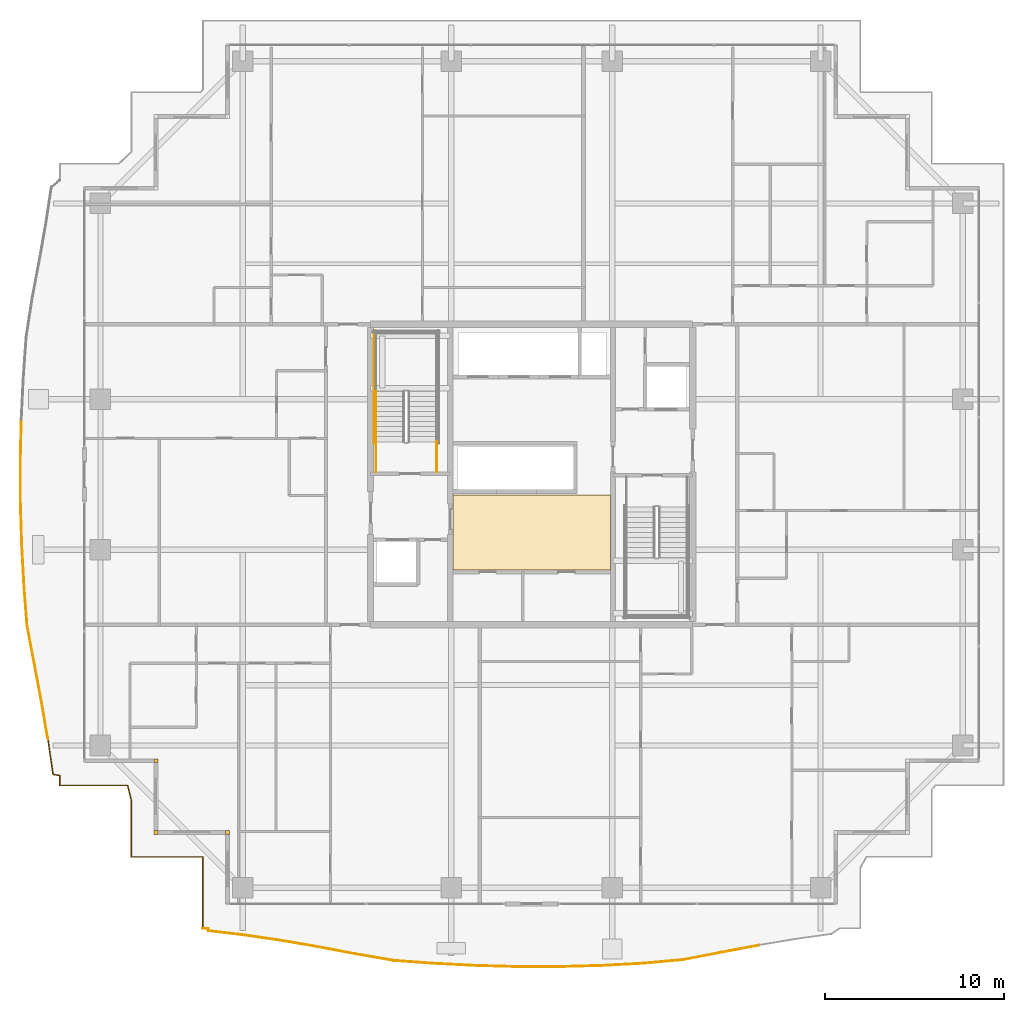
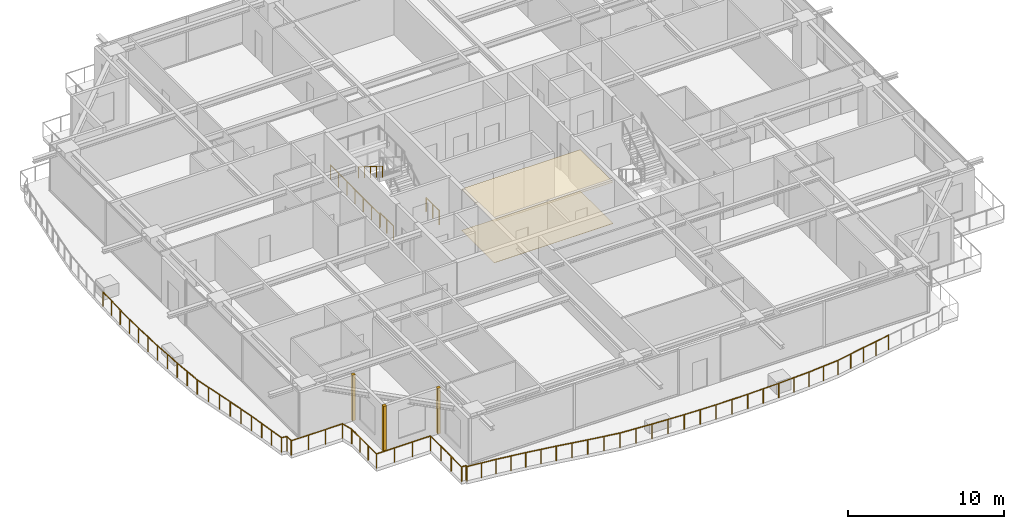
# One storey, part 31 of 35: 8 railings, 5 coverings.
"""IFC4 building model written with IfcOpenShell, lengths in metres."""

import ifcopenshell
import ifcopenshell.guid

model = None  # the IFC model being written
_history = None  # IfcOwnerHistory: only IFC2X3 demands one
_inside = {}  # id of a spatial element -> (the spatial element, [elements in it])
_under = {}  # id of a project, library or spatial element -> (it, [spatial elements below it])
_declared = {}  # id of a project -> (the project, [libraries it declares])
_typed = {}  # id of a type object -> (the type object, [elements of that type])
_made_of = {}  # id of a material, layer set ... -> (it, [elements and type objects made of it])


def new_model(schema):
    """Start an empty IFC model of exactly this schema.

    Asked for "IFC4X3", IfcOpenShell would pick the latest addendum, in which some entities
    have other attributes; the version numbers below select the first issue.
    IFC2X3 requires an IfcOwnerHistory on every rooted entity: one is made here for all.
    """
    global model, _history
    if schema == "IFC4X3":
        model = ifcopenshell.file(schema_version=(4, 3, 0, 0))
    else:
        model = ifcopenshell.file(schema=schema)
    _inside.clear()
    _under.clear()
    _declared.clear()
    _typed.clear()
    _made_of.clear()
    _history = None
    if model.schema == "IFC2X3":
        org = make("IfcOrganization", Name="unknown")
        user = make(
            "IfcPersonAndOrganization",
            ThePerson=make("IfcPerson", FamilyName="unknown"),
            TheOrganization=org,
        )
        app = make(
            "IfcApplication",
            ApplicationDeveloper=org,
            Version="unknown",
            ApplicationFullName="unknown",
            ApplicationIdentifier="unknown",
        )
        _history = make(
            "IfcOwnerHistory",
            OwningUser=user,
            OwningApplication=app,
            ChangeAction="ADDED",
            CreationDate=0,
        )
    return model


def make(cls, **values):
    """One entity of the class cls with the attributes given. An attribute that is None is left unset."""
    return model.create_entity(
        cls, **{name: value for name, value in values.items() if value is not None}
    )


def rooted(cls, **values):
    """An entity with a GlobalId (a new one), such as an element, a storey or a relation."""
    return make(cls, GlobalId=ifcopenshell.guid.new(), OwnerHistory=_history, **values)


def si_unit(unit_type, name, prefix=None):
    """IfcSIUnit, for example si_unit("LENGTHUNIT", "METRE", prefix="MILLI")."""
    return make("IfcSIUnit", UnitType=unit_type, Prefix=prefix, Name=name)


def assignment(units):
    """IfcUnitAssignment: the units of a project."""
    return None if units is None else make("IfcUnitAssignment", Units=units)


def point(xyz):
    """IfcCartesianPoint."""
    return None if xyz is None else make("IfcCartesianPoint", Coordinates=xyz)


def direction(xyz):
    """IfcDirection."""
    return None if xyz is None else make("IfcDirection", DirectionRatios=xyz)


def frame(location, z_axis=None, x_axis=None):
    """IfcAxis2Placement3D, a coordinate frame: its origin and axes. An axis left out is left unset."""
    return make(
        "IfcAxis2Placement3D",
        Location=point(location),
        Axis=direction(z_axis),
        RefDirection=direction(x_axis),
    )


def frame_2d(location, x_axis=None):
    """IfcAxis2Placement2D, a coordinate frame in the plane: its origin and x axis."""
    return make(
        "IfcAxis2Placement2D", Location=point(location), RefDirection=direction(x_axis)
    )


def origin():
    """The frame at (0, 0, 0) with its axes left unset."""
    return frame((0.0, 0.0, 0.0))


def origin_2d():
    """The frame at (0, 0) in the plane with its x axis left unset."""
    return frame_2d((0.0, 0.0))


def place(relative_to, where):
    """IfcLocalPlacement: puts the frame where relative to a parent placement (None: the world)."""
    return make(
        "IfcLocalPlacement", PlacementRelTo=relative_to, RelativePlacement=where
    )


def context(
    kind, dimensions, precision=None, world=None, true_north=None, identifier=None
):
    """IfcGeometricRepresentationContext, for example the 3D "Model" context."""
    return make(
        "IfcGeometricRepresentationContext",
        ContextIdentifier=identifier,
        ContextType=kind,
        CoordinateSpaceDimension=dimensions,
        Precision=precision,
        WorldCoordinateSystem=world,
        TrueNorth=true_north,
    )


def subcontext(parent, identifier, kind, view, scale=None):
    """IfcGeometricRepresentationSubContext, for example "Body" below "Model"."""
    return make(
        "IfcGeometricRepresentationSubContext",
        ContextIdentifier=identifier,
        ContextType=kind,
        ParentContext=parent,
        TargetScale=scale,
        TargetView=view,
    )


def project(units=None, contexts=None):
    """IfcProject with its units and contexts."""
    return rooted(
        "IfcProject",
        Name="project",
        RepresentationContexts=contexts,
        UnitsInContext=assignment(units),
    )


def spatial(cls, under=None, at=None, **own):
    """A site, building, storey or space (cls), placed at a placement, below another one or the project."""
    s = rooted(cls, ObjectPlacement=at, **own)
    if under is not None:
        _under.setdefault(under.id(), (under, []))[1].append(s)
    return s


def polyline(points):
    """IfcPolyline through the points."""
    return make("IfcPolyline", Points=[point(p) for p in points])


def profile(cls, at=None, kind="AREA", **sizes):
    """A parametric profile (cls). Its sizes go by their IFC names, for example OverallWidth=200.0."""
    return make(cls, ProfileType=kind, Position=at, **sizes)


def rectangle(**sizes):
    """IfcRectangleProfileDef."""
    return profile("IfcRectangleProfileDef", **sizes)


def circle(**sizes):
    """IfcCircleProfileDef."""
    return profile("IfcCircleProfileDef", **sizes)


def outline(outer, holes=None, kind="AREA"):
    """IfcArbitraryClosedProfileDef: a profile drawn as a closed curve; with holes, ...WithVoids."""
    if holes is None:
        return make("IfcArbitraryClosedProfileDef", ProfileType=kind, OuterCurve=outer)
    return make(
        "IfcArbitraryProfileDefWithVoids",
        ProfileType=kind,
        OuterCurve=outer,
        InnerCurves=holes,
    )


def extrude(swept, where, along, depth):
    """IfcExtrudedAreaSolid: the profile swept, set in the frame where, extruded along a direction by depth."""
    return make(
        "IfcExtrudedAreaSolid",
        SweptArea=swept,
        Position=where,
        ExtrudedDirection=direction(along),
        Depth=depth,
    )


def shape(context_of_items, identifier, shape_type, items):
    """IfcShapeRepresentation: the items that make up one representation, for example the "Body"."""
    return make(
        "IfcShapeRepresentation",
        ContextOfItems=context_of_items,
        RepresentationIdentifier=identifier,
        RepresentationType=shape_type,
        Items=items,
    )


def source(mapping_origin, context_of_items, identifier, shape_type, items):
    """IfcRepresentationMap: a shape defined once, which mapped items show again and again."""
    return make(
        "IfcRepresentationMap",
        MappingOrigin=mapping_origin,
        MappedRepresentation=shape(context_of_items, identifier, shape_type, items),
    )


def transform(
    local_origin,
    x_axis=None,
    y_axis=None,
    z_axis=None,
    scale=None,
    scale2=None,
    scale3=None,
    uniform=True,
):
    """IfcCartesianTransformationOperator3D, or its non-uniform kind. x_axis, y_axis, z_axis: its Axis1, 2, 3."""
    if uniform:
        return make(
            "IfcCartesianTransformationOperator3D",
            Axis1=direction(x_axis),
            Axis2=direction(y_axis),
            LocalOrigin=point(local_origin),
            Scale=scale,
            Axis3=direction(z_axis),
        )
    return make(
        "IfcCartesianTransformationOperator3DnonUniform",
        Axis1=direction(x_axis),
        Axis2=direction(y_axis),
        LocalOrigin=point(local_origin),
        Scale=scale,
        Axis3=direction(z_axis),
        Scale2=scale2,
        Scale3=scale3,
    )


def mapped(mapping_source, mapping_target):
    """IfcMappedItem: shows the shape of a source again, moved by a transform."""
    return make(
        "IfcMappedItem", MappingSource=mapping_source, MappingTarget=mapping_target
    )


def material(Name=None, Category=None):
    """IfcMaterial."""
    return make("IfcMaterial", Name=Name, Category=Category)


def layer(
    of_material, thickness, ventilated=None, Name=None, Category=None, Priority=None
):
    """IfcMaterialLayer: one layer of a wall or slab, of a material (None: an air gap)."""
    return make(
        "IfcMaterialLayer",
        Material=of_material,
        LayerThickness=thickness,
        IsVentilated=ventilated,
        Name=Name,
        Category=Category,
        Priority=Priority,
    )


def layer_set(layers, Name=None):
    """IfcMaterialLayerSet."""
    return make("IfcMaterialLayerSet", MaterialLayers=layers, LayerSetName=Name)


def made_of(thing, what):
    """Note that an element or type object is made of a material, layer set ...; save() writes the relation."""
    if what is not None:
        _made_of.setdefault(what.id(), (what, []))[1].append(thing)
    return thing


def type_object(cls, material=None, **own):
    """A type object (cls), such as IfcWallType, which elements share."""
    return made_of(rooted(cls, **own), material)


def element(
    cls,
    number,
    at=None,
    inside=None,
    cuts=None,
    type_object=None,
    material=None,
    context=None,
    identifier="Body",
    shape_type=None,
    held_by="IfcProductDefinitionShape",
    body=None,
    shapes=None,
    **own,
):
    """One element of the class cls, such as IfcWall. Its Tag is "e" and its number.

    at: its placement. inside: the storey or other place that contains it. cuts: it is an
    opening in that element (IfcRelVoidsElement). A single representation is given by context,
    identifier, shape_type and body (its items); several are given by shapes. held_by: the class
    of the entity that holds the representations. save() writes the other relations.
    """
    e = rooted(cls, Tag="e%d" % number, ObjectPlacement=at, **own)
    if body is not None:
        shapes = [shape(context, identifier, shape_type, body)]
    if shapes is not None:
        e.Representation = make(held_by, Representations=shapes)
    if inside is not None:
        _inside.setdefault(inside.id(), (inside, []))[1].append(e)
    if cuts is not None:
        rooted(
            "IfcRelVoidsElement", RelatingBuildingElement=cuts, RelatedOpeningElement=e
        )
    if type_object is not None:
        _typed.setdefault(type_object.id(), (type_object, []))[1].append(e)
    return made_of(e, material)


def aggregate(whole, parts):
    """IfcRelAggregates: a whole, such as a stair, and the parts it consists of."""
    return rooted("IfcRelAggregates", RelatingObject=whole, RelatedObjects=parts)


def save(model, path):
    """Write the relations noted so far, then the file.

    IfcRelAggregates (storeys below a building ...), IfcRelContainedInSpatialStructure (elements
    in a storey), IfcRelDefinesByType, IfcRelAssociatesMaterial and IfcRelDeclares: one each for
    every whole, place, type object, material and project.
    """
    for whole, parts in _under.values():
        aggregate(whole, parts)
    for where, things in _inside.values():
        rooted(
            "IfcRelContainedInSpatialStructure",
            RelatedElements=things,
            RelatingStructure=where,
        )
    for kind, things in _typed.values():
        rooted("IfcRelDefinesByType", RelatedObjects=things, RelatingType=kind)
    for what, things in _made_of.values():
        rooted("IfcRelAssociatesMaterial", RelatedObjects=things, RelatingMaterial=what)
    for by, libraries in _declared.values():
        rooted("IfcRelDeclares", RelatingContext=by, RelatedDefinitions=libraries)
    model.write(path)


model = new_model("IFC4")

# Units and contexts
model_context = context("Model", 3, precision=1e-05, world=origin(), true_north=direction((0.0, 1.0)))
body_context = subcontext(model_context, "Body", "Model", "MODEL_VIEW")
ifc_project = project(units=[si_unit("LENGTHUNIT", "METRE"), si_unit("AREAUNIT", "SQUARE_METRE"), si_unit("VOLUMEUNIT", "CUBIC_METRE"), si_unit("PLANEANGLEUNIT", "RADIAN"), si_unit("MASSUNIT", "GRAM", prefix="KILO")], contexts=[model_context])

# Site, building, storey
site_placement = place(None, origin())
site = spatial("IfcSite", under=ifc_project, at=site_placement, CompositionType="ELEMENT")
building_placement = place(site_placement, origin())
building = spatial("IfcBuilding", under=site, at=building_placement, Name="Serunith Strait Residences", CompositionType="ELEMENT")
storey_placement = place(building_placement, frame((0.0, 0.0, 210.449951171875)))
storey = spatial("IfcBuildingStorey", under=building, at=storey_placement, Name="L52", CompositionType="ELEMENT", Elevation=210.449951171875)

# Coverings
ifc_material_1 = material(Name="Perforated acoustic gypsum ceiling tile")
ifc_layer_1 = layer(ifc_material_1, 0.02490234375, Name="Perforated acoustic gypsum ceiling tile")
ifc_layer_set_1 = layer_set([ifc_layer_1], Name="Perforated acoustic gypsum ceiling tile")
covering_type_1 = type_object("IfcCoveringType", Name="COV-CEIL-AC60", PredefinedType="CEILING", material=ifc_layer_set_1)
covering_1_placement = place(storey_placement, frame((0.0, 0.0, 3.239990234375)))
element("IfcCovering", 1, at=covering_1_placement, inside=storey, type_object=covering_type_1, Name="L52 Lift Lobby Acoustic Ceiling", PredefinedType="CEILING", context=body_context, shape_type="SweptSolid", body=[
    extrude(outline(polyline([(28.0, 19.85009765625), (36.800048828125, 19.85009765625), (36.800048828125, 24.050048828125), (28.0, 24.050048828125), (28.0, 19.85009765625)])), origin(), (0.0, 0.0, 1.0), 0.025146484375),
])
ifc_material_2 = material(Name="Honed limestone terrazzo flooring", Category="masonry")
ifc_layer_2 = layer(ifc_material_2, 0.02001953125, Name="Honed limestone terrazzo flooring")
ifc_layer_set_2 = layer_set([ifc_layer_2], Name="Honed limestone terrazzo flooring")
covering_type_2 = type_object("IfcCoveringType", Name="COV-FLOOR-TER40", PredefinedType="FLOORING", material=ifc_layer_set_2)
covering_2_placement = place(storey_placement, origin())
element("IfcCovering", 2, at=covering_2_placement, inside=storey, type_object=covering_type_2, Name="L52 Lift Lobby Terrazzo Flooring", PredefinedType="FLOORING", context=body_context, shape_type="SweptSolid", body=[
    extrude(outline(polyline([(28.0, 19.85009765625), (36.800048828125, 19.85009765625), (36.800048828125, 24.050048828125), (28.0, 24.050048828125), (28.0, 19.85009765625)])), origin(), (0.0, 0.0, 1.0), 0.02001953125),
])

# Railings
ifc_material_3 = material(Name="Stainless Steel & Laminated Glass Balustrade", Category="steel")
railing_type_1 = type_object("IfcRailingType", Name="RLG-BALC-1150", PredefinedType="BALUSTRADE", material=ifc_material_3)
railing_1_placement = place(storey_placement, frame((14.02001953125, -0.179931640625, -0.050048828125)))
element("IfcRailing", 3, at=railing_1_placement, inside=storey, type_object=railing_type_1, Name="L52 Swirling Balcony Perimeter Balustrade 1", PredefinedType="BALUSTRADE", context=body_context, shape_type="SweptSolid", body=[
    extrude(circle(Radius=0.02392578125, at=origin_2d()), frame((0.0, 0.001953125, 1.1259765625), z_axis=(0.0, 1.0, 0.0), x_axis=(-1.0, 0.0, 0.0)), (0.0, 0.0, 1.0), 3.99609375),
    extrude(circle(Radius=0.02392578125, at=origin_2d()), frame((-0.001953125, 4.0, 1.1259765625), z_axis=(-1.0, 0.0, 0.0), x_axis=(0.0, -1.0, 0.0)), (0.0, 0.0, 1.0), 3.99609375),
    extrude(circle(Radius=0.02392578125, at=origin_2d()), frame((-4.0, 4.001953125, 1.1259765625), z_axis=(0.0, 1.0, 0.0), x_axis=(-1.0, 0.0, 0.0)), (0.0, 0.0, 1.0), 3.164306640625),
    extrude(circle(Radius=0.02392578125, at=origin_2d()), frame((-4.00048828125, 7.170166015625, 1.1259765625), z_axis=(-0.238845398988, 0.971057606624, 0.0), x_axis=(-0.971057606624, -0.238845398988, 0.0)), (0.0, 0.0, 1.0), 0.8525390625),
    extrude(circle(Radius=0.02392578125, at=origin_2d()), frame((-4.20654296875, 8.0, 1.1259765625), z_axis=(-1.0, 0.0, 0.0), x_axis=(0.0, -1.0, 0.0)), (0.0, 0.0, 1.0), 3.79150390625),
    extrude(circle(Radius=0.02392578125, at=origin_2d()), frame((-8.0, 8.001953125, 1.1259765625), z_axis=(0.0, 1.0, 0.0), x_axis=(-1.0, 0.0, 0.0)), (0.0, 0.0, 1.0), 0.546142578125),
    extrude(circle(Radius=0.02392578125, at=origin_2d()), frame((-8.001953125, 8.55029296875, 1.1259765625), z_axis=(-0.986359280714, 0.164606711132, 0.0), x_axis=(-0.164606711132, -0.986359280714, 0.0)), (0.0, 0.0, 1.0), 0.377197265625),
    extrude(circle(Radius=0.02392578125, at=origin_2d()), frame((-8.376220703125, 8.61474609375, 1.1259765625), z_axis=(-0.14240644301, 0.989808266782, 0.0), x_axis=(-0.989808266782, -0.14240644301, 0.0)), (0.0, 0.0, 1.0), 2.04296875),
    extrude(circle(Radius=0.02099609375, at=origin_2d()), origin(), (0.0, 0.0, 1.0), 1.099853515625),
    extrude(circle(Radius=0.02099609375, at=origin_2d()), frame((0.0, 1.333251953125, 0.0)), (0.0, 0.0, 1.0), 1.099853515625),
    extrude(circle(Radius=0.02099609375, at=origin_2d()), frame((0.0, 2.666748046875, 0.0)), (0.0, 0.0, 1.0), 1.099853515625),
    extrude(circle(Radius=0.02099609375, at=origin_2d()), frame((0.0, 4.0, 0.0)), (0.0, 0.0, 1.0), 1.099853515625),
    extrude(circle(Radius=0.02099609375, at=origin_2d()), frame((-1.333251953125, 4.0, 0.0)), (0.0, 0.0, 1.0), 1.099853515625),
    extrude(circle(Radius=0.02099609375, at=origin_2d()), frame((-2.666748046875, 4.0, 0.0)), (0.0, 0.0, 1.0), 1.099853515625),
    extrude(circle(Radius=0.02099609375, at=origin_2d()), frame((-4.0, 4.0, 0.0)), (0.0, 0.0, 1.0), 1.099853515625),
    extrude(circle(Radius=0.02099609375, at=origin_2d()), frame((-4.0, 5.05615234375, 0.0)), (0.0, 0.0, 1.0), 1.099853515625),
    extrude(circle(Radius=0.02099609375, at=origin_2d()), frame((-4.0, 6.112060546875, 0.0)), (0.0, 0.0, 1.0), 1.099853515625),
    extrude(circle(Radius=0.02099609375, at=origin_2d()), frame((-4.0, 7.168212890625, 0.0)), (0.0, 0.0, 1.0), 1.099853515625),
    extrude(circle(Radius=0.02099609375, at=origin_2d()), frame((-4.20458984375, 8.0, 0.0)), (0.0, 0.0, 1.0), 1.099853515625),
    extrude(circle(Radius=0.02099609375, at=origin_2d()), frame((-5.4697265625, 8.0, 0.0)), (0.0, 0.0, 1.0), 1.099853515625),
    extrude(circle(Radius=0.02099609375, at=origin_2d()), frame((-6.73486328125, 8.0, 0.0)), (0.0, 0.0, 1.0), 1.099853515625),
    extrude(circle(Radius=0.02099609375, at=origin_2d()), frame((-8.0, 8.0, 0.0)), (0.0, 0.0, 1.0), 1.099853515625),
    extrude(circle(Radius=0.02099609375, at=origin_2d()), frame((-8.0, 8.550048828125, 0.0)), (0.0, 0.0, 1.0), 1.099853515625),
    extrude(circle(Radius=0.02099609375, at=origin_2d()), frame((-8.3759765625, 8.61279296875, 0.0)), (0.0, 0.0, 1.0), 1.099853515625),
    extrude(circle(Radius=0.02099609375, at=origin_2d()), frame((-8.521728515625, 9.6259765625, 0.0)), (0.0, 0.0, 1.0), 1.099853515625),
    extrude(circle(Radius=0.02099609375, at=origin_2d()), frame((-8.66748046875, 10.638916015625, 0.0)), (0.0, 0.0, 1.0), 1.099853515625),
])
railing_2_placement = place(storey_placement, frame((5.3525390625, 10.458984375, -0.050048828125)))
element("IfcRailing", 4, at=railing_2_placement, inside=storey, type_object=railing_type_1, Name="L52 Swirling Balcony Perimeter Balustrade 2", PredefinedType="BALUSTRADE", context=body_context, shape_type="SweptSolid", body=[
    extrude(circle(Radius=0.02392578125, at=origin_2d()), frame((-0.000244140625, 0.001953125, 1.1259765625), z_axis=(-0.16700947295, 0.985955291048, 0.0), x_axis=(-0.985955291048, -0.16700947295, 0.0)), (0.0, 0.0, 1.0), 2.0732421875),
    extrude(circle(Radius=0.02392578125, at=origin_2d()), frame((-0.347412109375, 2.050048828125, 1.1259765625), z_axis=(-0.184344047009, 0.982861776819, 0.0), x_axis=(-0.982861776819, -0.184344047009, 0.0)), (0.0, 0.0, 1.0), 2.120361328125),
    extrude(circle(Radius=0.02392578125, at=origin_2d()), frame((-0.739013671875, 4.137939453125, 1.1259765625), z_axis=(-0.18759984741, 0.982245538168, 0.0), x_axis=(-0.982245538168, -0.18759984741, 0.0)), (0.0, 0.0, 1.0), 2.18115234375),
    extrude(circle(Radius=0.02392578125, at=origin_2d()), frame((-1.148681640625, 6.2841796875, 1.1259765625), z_axis=(-0.07663896105, 0.997058909819, 0.0), x_axis=(-0.997058909819, -0.07663896105, 0.0)), (0.0, 0.0, 1.0), 2.267333984375),
    extrude(circle(Radius=0.02392578125, at=origin_2d()), frame((-1.322509765625, 8.548828125, 1.1259765625), z_axis=(-0.054483708604, 0.99851465963, 0.0), x_axis=(-0.99851465963, -0.054483708604, 0.0)), (0.0, 0.0, 1.0), 2.29931640625),
    extrude(circle(Radius=0.02392578125, at=origin_2d()), frame((-1.447998046875, 10.8486328125, 1.1259765625), z_axis=(-0.030146023543, 0.99954550535, 0.0), x_axis=(-0.99954550535, -0.030146023543, 0.0)), (0.0, 0.0, 1.0), 2.3203125),
    extrude(circle(Radius=0.02392578125, at=origin_2d()), frame((-1.51806640625, 13.171875, 1.1259765625), z_axis=(-0.003244018092, 0.999994738159, 0.0), x_axis=(-0.999994738159, -0.003244018092, 0.0)), (0.0, 0.0, 1.0), 2.3291015625),
    extrude(circle(Radius=0.02392578125, at=origin_2d()), frame((-1.525634765625, 15.5048828125, 1.1259765625), z_axis=(0.023805273414, 0.999716614325, 0.0), x_axis=(-0.999716614325, 0.023805273414, 0.0)), (0.0, 0.0, 1.0), 2.323974609375),
    extrude(circle(Radius=0.02099609375, at=origin_2d()), origin(), (0.0, 0.0, 1.0), 1.099853515625),
    extrude(circle(Radius=0.02099609375, at=origin_2d()), frame((-0.17333984375, 1.02392578125, 0.0)), (0.0, 0.0, 1.0), 1.099853515625),
    extrude(circle(Radius=0.02099609375, at=origin_2d()), frame((-0.346923828125, 2.048095703125, 0.0)), (0.0, 0.0, 1.0), 1.099853515625),
    extrude(circle(Radius=0.02099609375, at=origin_2d()), frame((-0.542724609375, 3.092041015625, 0.0)), (0.0, 0.0, 1.0), 1.099853515625),
    extrude(circle(Radius=0.02099609375, at=origin_2d()), frame((-0.738525390625, 4.135986328125, 0.0)), (0.0, 0.0, 1.0), 1.099853515625),
    extrude(circle(Radius=0.02099609375, at=origin_2d()), frame((-0.943359375, 5.208984375, 0.0)), (0.0, 0.0, 1.0), 1.099853515625),
    extrude(circle(Radius=0.02099609375, at=origin_2d()), frame((-1.1484375, 6.2822265625, 0.0)), (0.0, 0.0, 1.0), 1.099853515625),
    extrude(circle(Radius=0.02099609375, at=origin_2d()), frame((-1.2353515625, 7.41455078125, 0.0)), (0.0, 0.0, 1.0), 1.099853515625),
    extrude(circle(Radius=0.02099609375, at=origin_2d()), frame((-1.322509765625, 8.546875, 0.0)), (0.0, 0.0, 1.0), 1.099853515625),
    extrude(circle(Radius=0.02099609375, at=origin_2d()), frame((-1.38525390625, 9.69677734375, 0.0)), (0.0, 0.0, 1.0), 1.099853515625),
    extrude(circle(Radius=0.02099609375, at=origin_2d()), frame((-1.447998046875, 10.8466796875, 0.0)), (0.0, 0.0, 1.0), 1.099853515625),
    extrude(circle(Radius=0.02099609375, at=origin_2d()), frame((-1.48291015625, 12.00830078125, 0.0)), (0.0, 0.0, 1.0), 1.099853515625),
    extrude(circle(Radius=0.02099609375, at=origin_2d()), frame((-1.51806640625, 13.169921875, 0.0)), (0.0, 0.0, 1.0), 1.099853515625),
    extrude(circle(Radius=0.02099609375, at=origin_2d()), frame((-1.52197265625, 14.33642578125, 0.0)), (0.0, 0.0, 1.0), 1.099853515625),
    extrude(circle(Radius=0.02099609375, at=origin_2d()), frame((-1.525634765625, 15.5029296875, 0.0)), (0.0, 0.0, 1.0), 1.099853515625),
    extrude(circle(Radius=0.02099609375, at=origin_2d()), frame((-1.498046875, 16.66650390625, 0.0)), (0.0, 0.0, 1.0), 1.099853515625),
    extrude(circle(Radius=0.02099609375, at=origin_2d()), frame((-1.47021484375, 17.830322265625, 0.0)), (0.0, 0.0, 1.0), 1.099853515625),
])
railing_3_placement = place(storey_placement, frame((45.101318359375, -1.1162109375, -0.050048828125)))
element("IfcRailing", 5, at=railing_3_placement, inside=storey, type_object=railing_type_1, Name="L52 Swirling Balcony Perimeter Balustrade 7", PredefinedType="BALUSTRADE", context=body_context, shape_type="SweptSolid", body=[
    extrude(circle(Radius=0.02392578125, at=origin_2d()), frame((-0.001953125, -0.00048828125, 1.1259765625), z_axis=(-0.982762478457, -0.184872688458, 0.0), x_axis=(0.184872688458, -0.982762478457, 0.0)), (0.0, 0.0, 1.0), 2.115478515625),
    extrude(circle(Radius=0.02392578125, at=origin_2d()), frame((-2.0849609375, -0.392333984375, 1.1259765625), z_axis=(-0.981767055406, -0.190088003092, 0.0), x_axis=(0.190088003092, -0.981767055406, 0.0)), (0.0, 0.0, 1.0), 2.17822265625),
    extrude(circle(Radius=0.02392578125, at=origin_2d()), frame((-4.227294921875, -0.806884765625, 1.1259765625), z_axis=(-0.995891443202, -0.090555139868, 0.0), x_axis=(0.090555139868, -0.995891443202, 0.0)), (0.0, 0.0, 1.0), 2.26611328125),
    extrude(circle(Radius=0.02392578125, at=origin_2d()), frame((-6.488037109375, -1.01220703125, 1.1259765625), z_axis=(-0.998614616736, -0.052619836963, 0.0), x_axis=(0.052619836963, -0.998614616736, 0.0)), (0.0, 0.0, 1.0), 2.306640625),
    extrude(circle(Radius=0.02392578125, at=origin_2d()), frame((-8.79541015625, -1.1337890625, 1.1259765625), z_axis=(-0.999621009945, -0.027528829907, 0.0), x_axis=(0.027528829907, -0.999621009945, 0.0)), (0.0, 0.0, 1.0), 2.328369140625),
    extrude(circle(Radius=0.02392578125, at=origin_2d()), frame((-11.126953125, -1.197998046875, 1.1259765625), z_axis=(-0.99999997824, -0.000208615829, 0.0), x_axis=(0.000208615829, -0.99999997824, 0.0)), (0.0, 0.0, 1.0), 2.336669921875),
    extrude(circle(Radius=0.02392578125, at=origin_2d()), frame((-13.467529296875, -1.198486328125, 1.1259765625), z_axis=(-0.999641580629, 0.026771445197, 0.0), x_axis=(-0.026771445197, -0.999641580629, 0.0)), (0.0, 0.0, 1.0), 2.33056640625),
    extrude(circle(Radius=0.02392578125, at=origin_2d()), frame((-15.80126953125, -1.135986328125, 1.1259765625), z_axis=(-0.998685449425, 0.051257907743, 0.0), x_axis=(-0.051257907743, -0.998685449425, 0.0)), (0.0, 0.0, 1.0), 2.310791015625),
    extrude(circle(Radius=0.02099609375, at=origin_2d()), origin(), (0.0, 0.0, 1.0), 1.099853515625),
    extrude(circle(Radius=0.02099609375, at=origin_2d()), frame((-1.04150390625, -0.19580078125, 0.0)), (0.0, 0.0, 1.0), 1.099853515625),
    extrude(circle(Radius=0.02099609375, at=origin_2d()), frame((-2.0830078125, -0.391845703125, 0.0)), (0.0, 0.0, 1.0), 1.099853515625),
    extrude(circle(Radius=0.02099609375, at=origin_2d()), frame((-3.154296875, -0.59912109375, 0.0)), (0.0, 0.0, 1.0), 1.099853515625),
    extrude(circle(Radius=0.02099609375, at=origin_2d()), frame((-4.225341796875, -0.806640625, 0.0)), (0.0, 0.0, 1.0), 1.099853515625),
    extrude(circle(Radius=0.02099609375, at=origin_2d()), frame((-5.355712890625, -0.909423828125, 0.0)), (0.0, 0.0, 1.0), 1.099853515625),
    extrude(circle(Radius=0.02099609375, at=origin_2d()), frame((-6.486083984375, -1.01220703125, 0.0)), (0.0, 0.0, 1.0), 1.099853515625),
    extrude(circle(Radius=0.02099609375, at=origin_2d()), frame((-7.6396484375, -1.072998046875, 0.0)), (0.0, 0.0, 1.0), 1.099853515625),
    extrude(circle(Radius=0.02099609375, at=origin_2d()), frame((-8.79345703125, -1.1337890625, 0.0)), (0.0, 0.0, 1.0), 1.099853515625),
    extrude(circle(Radius=0.02099609375, at=origin_2d()), frame((-9.959228515625, -1.166015625, 0.0)), (0.0, 0.0, 1.0), 1.099853515625),
    extrude(circle(Radius=0.02099609375, at=origin_2d()), frame((-11.125, -1.197998046875, 0.0)), (0.0, 0.0, 1.0), 1.099853515625),
    extrude(circle(Radius=0.02099609375, at=origin_2d()), frame((-12.29541015625, -1.1982421875, 0.0)), (0.0, 0.0, 1.0), 1.099853515625),
    extrude(circle(Radius=0.02099609375, at=origin_2d()), frame((-13.465576171875, -1.198486328125, 0.0)), (0.0, 0.0, 1.0), 1.099853515625),
    extrude(circle(Radius=0.02099609375, at=origin_2d()), frame((-14.63232421875, -1.167236328125, 0.0)), (0.0, 0.0, 1.0), 1.099853515625),
    extrude(circle(Radius=0.02099609375, at=origin_2d()), frame((-15.79931640625, -1.135986328125, 0.0)), (0.0, 0.0, 1.0), 1.099853515625),
    extrude(circle(Radius=0.02099609375, at=origin_2d()), frame((-16.955078125, -1.07666015625, 0.0)), (0.0, 0.0, 1.0), 1.099853515625),
    extrude(circle(Radius=0.02099609375, at=origin_2d()), frame((-18.111083984375, -1.017333984375, 0.0)), (0.0, 0.0, 1.0), 1.099853515625),
])
railing_4_placement = place(storey_placement, frame((26.990234375, -2.133544921875, -0.050048828125)))
element("IfcRailing", 6, at=railing_4_placement, inside=storey, type_object=railing_type_1, Name="L52 Swirling Balcony Perimeter Balustrade 8", PredefinedType="BALUSTRADE", context=body_context, shape_type="SweptSolid", body=[
    extrude(circle(Radius=0.02392578125, at=origin_2d()), frame((-0.001953125, 0.000244140625, 1.1259765625), z_axis=(-0.997441858144, 0.071482442753, 0.0), x_axis=(-0.071482442753, -0.997441858144, 0.0)), (0.0, 0.0, 1.0), 2.281005859375),
    extrude(circle(Radius=0.02392578125, at=origin_2d()), frame((-2.281005859375, 0.16357421875, 1.1259765625), z_axis=(-0.985577457974, 0.169224922318, 0.0), x_axis=(-0.169224922318, -0.985577457974, 0.0)), (0.0, 0.0, 1.0), 2.201904296875),
    extrude(circle(Radius=0.02392578125, at=origin_2d()), frame((-4.455078125, 0.537109375, 1.1259765625), z_axis=(-0.982433461632, 0.186613218895, 0.0), x_axis=(-0.186613218895, -0.982433461632, 0.0)), (0.0, 0.0, 1.0), 2.13232421875),
    extrude(circle(Radius=0.02392578125, at=origin_2d()), frame((-6.553955078125, 0.935546875, 1.1259765625), z_axis=(-0.985444564324, 0.169997090103, 0.0), x_axis=(-0.169997090103, -0.985444564324, 0.0)), (0.0, 0.0, 1.0), 2.081298828125),
    extrude(circle(Radius=0.02392578125, at=origin_2d()), frame((-8.60888671875, 1.2900390625, 1.1259765625), z_axis=(-0.989441095224, 0.144935568729, 0.0), x_axis=(-0.144935568729, -0.989441095224, 0.0)), (0.0, 0.0, 1.0), 2.047607421875),
    extrude(circle(Radius=0.02392578125, at=origin_2d()), frame((-10.638916015625, 1.58740234375, 1.1259765625), z_axis=(-0.99304950371, 0.117697422151, 0.0), x_axis=(-0.117697422151, -0.99304950371, 0.0)), (0.0, 0.0, 1.0), 2.031005859375),
    extrude(circle(Radius=0.02392578125, at=origin_2d()), frame((-12.65771484375, 1.82861328125, 1.1259765625), z_axis=(0.007692080119, 0.999970415514, 0.0), x_axis=(-0.999970415514, 0.007692080119, 0.0)), (0.0, 0.0, 1.0), 0.123046875),
    extrude(circle(Radius=0.02392578125, at=origin_2d()), frame((-12.65869140625, 1.95361328125, 1.1259765625), z_axis=(-1.0, 0.0, 0.0), x_axis=(0.0, -1.0, 0.0)), (0.0, 0.0, 1.0), 0.3095703125),
    extrude(circle(Radius=0.02099609375, at=origin_2d()), origin(), (0.0, 0.0, 1.0), 1.099853515625),
    extrude(circle(Radius=0.02099609375, at=origin_2d()), frame((-1.1396484375, 0.08154296875, 0.0)), (0.0, 0.0, 1.0), 1.099853515625),
    extrude(circle(Radius=0.02099609375, at=origin_2d()), frame((-2.279052734375, 0.163330078125, 0.0)), (0.0, 0.0, 1.0), 1.099853515625),
    extrude(circle(Radius=0.02099609375, at=origin_2d()), frame((-3.3662109375, 0.35009765625, 0.0)), (0.0, 0.0, 1.0), 1.099853515625),
    extrude(circle(Radius=0.02099609375, at=origin_2d()), frame((-4.453125, 0.53662109375, 0.0)), (0.0, 0.0, 1.0), 1.099853515625),
    extrude(circle(Radius=0.02099609375, at=origin_2d()), frame((-5.50244140625, 0.73583984375, 0.0)), (0.0, 0.0, 1.0), 1.099853515625),
    extrude(circle(Radius=0.02099609375, at=origin_2d()), frame((-6.552001953125, 0.935302734375, 0.0)), (0.0, 0.0, 1.0), 1.099853515625),
    extrude(circle(Radius=0.02099609375, at=origin_2d()), frame((-7.57958984375, 1.112548828125, 0.0)), (0.0, 0.0, 1.0), 1.099853515625),
    extrude(circle(Radius=0.02099609375, at=origin_2d()), frame((-8.60693359375, 1.289794921875, 0.0)), (0.0, 0.0, 1.0), 1.099853515625),
    extrude(circle(Radius=0.02099609375, at=origin_2d()), frame((-9.6220703125, 1.4384765625, 0.0)), (0.0, 0.0, 1.0), 1.099853515625),
    extrude(circle(Radius=0.02099609375, at=origin_2d()), frame((-10.636962890625, 1.587158203125, 0.0)), (0.0, 0.0, 1.0), 1.099853515625),
    extrude(circle(Radius=0.02099609375, at=origin_2d()), frame((-11.6474609375, 1.70703125, 0.0)), (0.0, 0.0, 1.0), 1.099853515625),
    extrude(circle(Radius=0.02099609375, at=origin_2d()), frame((-12.65771484375, 1.82666015625, 0.0)), (0.0, 0.0, 1.0), 1.099853515625),
    extrude(circle(Radius=0.02099609375, at=origin_2d()), frame((-12.65673828125, 1.95361328125, 0.0)), (0.0, 0.0, 1.0), 1.099853515625),
    extrude(circle(Radius=0.02099609375, at=origin_2d()), frame((-12.97021484375, 1.95361328125, 0.0)), (0.0, 0.0, 1.0), 1.099853515625),
])
ifc_material_4 = material(Name="Brushed stainless steel 316L", Category="steel")
railing_type_2 = type_object("IfcRailingType", Name="RLG-STAIR-GUARD", PredefinedType="BALUSTRADE", material=ifc_material_4)
for number, where, name in (
    (7, (27.10009765625, 25.35009765625, 0.0), "L52 ST-1 stair guard 8"),
    (8, (23.699951171875, 25.35009765625, 0.0), "L52 ST-1 stair guard 9"),
):
    element("IfcRailing", number, at=place(storey_placement, frame(where)), inside=storey, type_object=railing_type_2, Name=name, PredefinedType="BALUSTRADE", context=body_context, shape_type="SweptSolid", body=[
        extrude(circle(Radius=0.02392578125, at=origin_2d()), frame((0.0, 0.001953125, 1.076171875), z_axis=(0.0, 1.0, 0.0), x_axis=(-1.0, 0.0, 0.0)), (0.0, 0.0, 1.0), 1.676025390625),
        extrude(circle(Radius=0.02099609375, at=origin_2d()), origin(), (0.0, 0.0, 1.0), 1.050048828125),
        extrude(circle(Radius=0.02099609375, at=origin_2d()), frame((0.0, 0.83984375, 0.0)), (0.0, 0.0, 1.0), 1.050048828125),
        extrude(circle(Radius=0.02099609375, at=origin_2d()), frame((0.0, 1.679931640625, 0.0)), (0.0, 0.0, 1.0), 1.050048828125),
    ])
railing_5_placement = place(storey_placement, frame((23.60009765625, 26.929931640625, 0.0)))
element("IfcRailing", 9, at=railing_5_placement, inside=storey, type_object=railing_type_2, Name="L52 ST-1 stair guard 11", PredefinedType="BALUSTRADE", context=body_context, shape_type="SweptSolid", body=[
    extrude(circle(Radius=0.02392578125, at=origin_2d()), frame((0.0, 0.001953125, 1.076171875), z_axis=(0.0, 1.0, 0.0), x_axis=(-1.0, 0.0, 0.0)), (0.0, 0.0, 1.0), 6.316162109375),
    extrude(circle(Radius=0.02099609375, at=origin_2d()), origin(), (0.0, 0.0, 1.0), 1.050048828125),
    extrude(circle(Radius=0.02099609375, at=origin_2d()), frame((0.0, 1.05322265625, 0.0)), (0.0, 0.0, 1.0), 1.050048828125),
    extrude(circle(Radius=0.02099609375, at=origin_2d()), frame((0.0, 2.106689453125, 0.0)), (0.0, 0.0, 1.0), 1.050048828125),
    extrude(circle(Radius=0.02099609375, at=origin_2d()), frame((0.0, 3.16015625, 0.0)), (0.0, 0.0, 1.0), 1.050048828125),
    extrude(circle(Radius=0.02099609375, at=origin_2d()), frame((0.0, 4.21337890625, 0.0)), (0.0, 0.0, 1.0), 1.050048828125),
    extrude(circle(Radius=0.02099609375, at=origin_2d()), frame((0.0, 5.2666015625, 0.0)), (0.0, 0.0, 1.0), 1.050048828125),
    extrude(circle(Radius=0.02099609375, at=origin_2d()), frame((0.0, 6.320068359375, 0.0)), (0.0, 0.0, 1.0), 1.050048828125),
])
railing_type_3 = type_object("IfcRailingType", Name="RLG-STAIR-HR", PredefinedType="HANDRAIL", material=ifc_material_4)
railing_6_placement = place(storey_placement, frame((23.699951171875, 29.830078125, 2.10009765625)))
element("IfcRailing", 10, at=railing_6_placement, inside=storey, type_object=railing_type_3, Name="L52 ST-1 stair handrail 2", PredefinedType="HANDRAIL", context=body_context, shape_type="SweptSolid", body=[
    extrude(circle(Radius=0.02392578125, at=origin_2d()), frame((0.0, -0.001708984375, 0.876953125), z_axis=(0.0, -0.847393994688, 0.530964610654), x_axis=(1.0, 0.0, 0.0)), (0.0, 0.0, 1.0), 3.630859375),
    extrude(circle(Radius=0.02099609375, at=origin_2d()), origin(), (0.0, 0.0, 1.0), 0.849853515625),
    extrude(circle(Radius=0.02099609375, at=origin_2d()), frame((0.0, -0.77001953125, 0.482421875)), (0.0, 0.0, 1.0), 0.849853515625),
    extrude(circle(Radius=0.02099609375, at=origin_2d()), frame((0.0, -1.5400390625, 0.96484375)), (0.0, 0.0, 1.0), 0.849853515625),
    extrude(circle(Radius=0.02099609375, at=origin_2d()), frame((0.0, -2.31005859375, 1.447509765625)), (0.0, 0.0, 1.0), 0.849853515625),
    extrude(circle(Radius=0.02099609375, at=origin_2d()), frame((0.0, -3.080078125, 1.929931640625)), (0.0, 0.0, 1.0), 0.849853515625),
])

# Coverings
ifc_material_5 = material(Name="Pale-Champagne Anodised Aluminium", Category="aluminium")
ifc_layer_3 = layer(ifc_material_5, 0.219970703125, Name="Pale-Champagne Anodised Aluminium")
ifc_layer_set_3 = layer_set([ifc_layer_3], Name="Pale-Champagne Anodised Aluminium")
covering_type_3 = type_object("IfcCoveringType", Name="COV-CORN-TRIM", PredefinedType="CLADDING", material=ifc_layer_set_3)
shared_shape = source(origin(), body_context, "Body", "SweptSolid", [
    extrude(rectangle(XDim=0.221923828125, YDim=0.221923828125, at=origin_2d()), origin(), (0.0, 0.0, 1.0), 3.574951171875),
])
for number, where, z_axis, x_axis, name in (
    (11, (11.39990234375, 9.199951171875, 0.0), (0.0, 0.0, 1.0), (1.0, 0.0, 0.0), "L52 Girih Serrated Corner Trim Post 17"),
    (12, (11.39990234375, 5.199951171875, 0.0), (0.0, 0.0, 1.0), (1.0, 0.0, 0.0), "L52 Girih Serrated Corner Trim Post 18"),
    (13, (15.39990234375, 5.199951171875, 0.0), (0.0, 0.0, 1.0), (1.0, 0.0, 0.0), "L52 Girih Serrated Corner Trim Post 19"),
):
    element("IfcCovering", number, at=place(storey_placement, frame(where, z_axis=z_axis, x_axis=x_axis)), inside=storey, type_object=covering_type_3, Name=name, PredefinedType="CLADDING", context=body_context, shape_type="MappedRepresentation", body=[
        mapped(shared_shape, transform((0.0, 0.0, 0.0), scale=1.0)),
    ])

save(model, "model.ifc")
